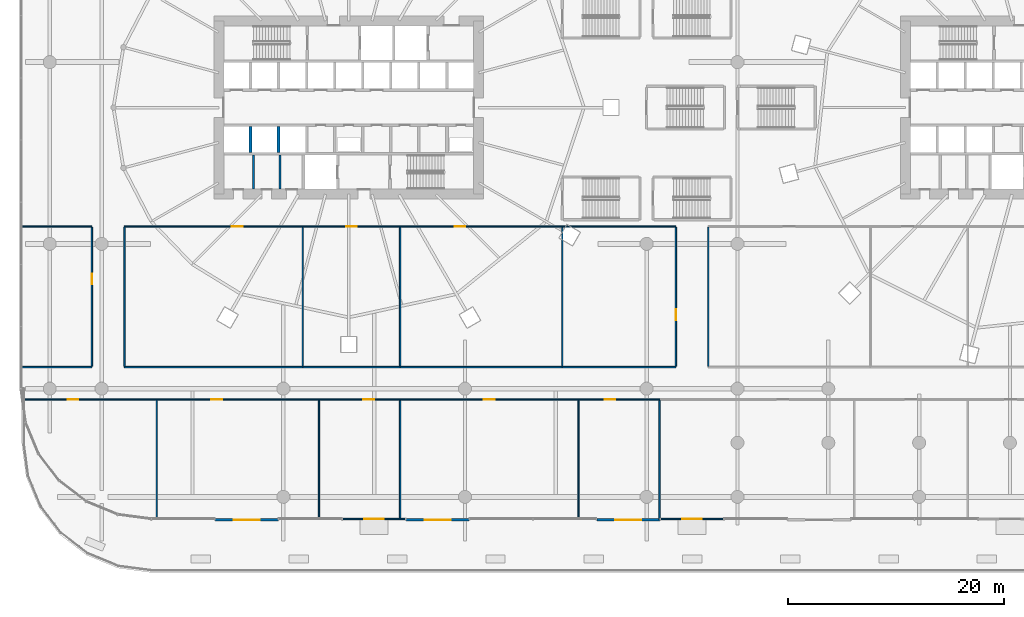
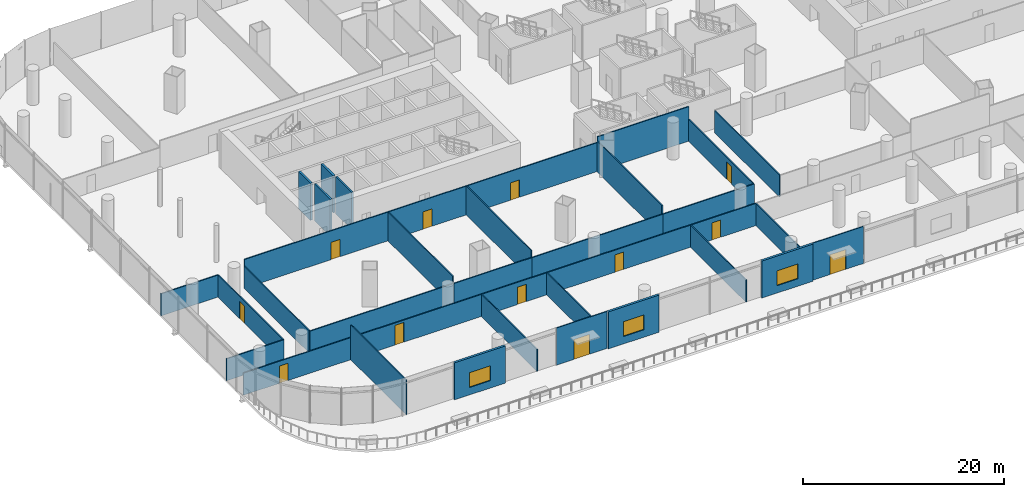
# One storey, part 26 of 43: 36 walls, 12 doors, 3 windows, 15 openings.
"""IFC4 building model written with IfcOpenShell, lengths in metres."""

import ifcopenshell
import ifcopenshell.guid

model = None  # the IFC model being written
_history = None  # IfcOwnerHistory: only IFC2X3 demands one
_inside = {}  # id of a spatial element -> (the spatial element, [elements in it])
_under = {}  # id of a project, library or spatial element -> (it, [spatial elements below it])
_declared = {}  # id of a project -> (the project, [libraries it declares])
_typed = {}  # id of a type object -> (the type object, [elements of that type])
_made_of = {}  # id of a material, layer set ... -> (it, [elements and type objects made of it])


def new_model(schema):
    """Start an empty IFC model of exactly this schema.

    Asked for "IFC4X3", IfcOpenShell would pick the latest addendum, in which some entities
    have other attributes; the version numbers below select the first issue.
    IFC2X3 requires an IfcOwnerHistory on every rooted entity: one is made here for all.
    """
    global model, _history
    if schema == "IFC4X3":
        model = ifcopenshell.file(schema_version=(4, 3, 0, 0))
    else:
        model = ifcopenshell.file(schema=schema)
    _inside.clear()
    _under.clear()
    _declared.clear()
    _typed.clear()
    _made_of.clear()
    _history = None
    if model.schema == "IFC2X3":
        org = make("IfcOrganization", Name="unknown")
        user = make(
            "IfcPersonAndOrganization",
            ThePerson=make("IfcPerson", FamilyName="unknown"),
            TheOrganization=org,
        )
        app = make(
            "IfcApplication",
            ApplicationDeveloper=org,
            Version="unknown",
            ApplicationFullName="unknown",
            ApplicationIdentifier="unknown",
        )
        _history = make(
            "IfcOwnerHistory",
            OwningUser=user,
            OwningApplication=app,
            ChangeAction="ADDED",
            CreationDate=0,
        )
    return model


def make(cls, **values):
    """One entity of the class cls with the attributes given. An attribute that is None is left unset."""
    return model.create_entity(
        cls, **{name: value for name, value in values.items() if value is not None}
    )


def rooted(cls, **values):
    """An entity with a GlobalId (a new one), such as an element, a storey or a relation."""
    return make(cls, GlobalId=ifcopenshell.guid.new(), OwnerHistory=_history, **values)


def si_unit(unit_type, name, prefix=None):
    """IfcSIUnit, for example si_unit("LENGTHUNIT", "METRE", prefix="MILLI")."""
    return make("IfcSIUnit", UnitType=unit_type, Prefix=prefix, Name=name)


def assignment(units):
    """IfcUnitAssignment: the units of a project."""
    return None if units is None else make("IfcUnitAssignment", Units=units)


def point(xyz):
    """IfcCartesianPoint."""
    return None if xyz is None else make("IfcCartesianPoint", Coordinates=xyz)


def direction(xyz):
    """IfcDirection."""
    return None if xyz is None else make("IfcDirection", DirectionRatios=xyz)


def frame(location, z_axis=None, x_axis=None):
    """IfcAxis2Placement3D, a coordinate frame: its origin and axes. An axis left out is left unset."""
    return make(
        "IfcAxis2Placement3D",
        Location=point(location),
        Axis=direction(z_axis),
        RefDirection=direction(x_axis),
    )


def frame_2d(location, x_axis=None):
    """IfcAxis2Placement2D, a coordinate frame in the plane: its origin and x axis."""
    return make(
        "IfcAxis2Placement2D", Location=point(location), RefDirection=direction(x_axis)
    )


def origin():
    """The frame at (0, 0, 0) with its axes left unset."""
    return frame((0.0, 0.0, 0.0))


def place(relative_to, where):
    """IfcLocalPlacement: puts the frame where relative to a parent placement (None: the world)."""
    return make(
        "IfcLocalPlacement", PlacementRelTo=relative_to, RelativePlacement=where
    )


def context(
    kind, dimensions, precision=None, world=None, true_north=None, identifier=None
):
    """IfcGeometricRepresentationContext, for example the 3D "Model" context."""
    return make(
        "IfcGeometricRepresentationContext",
        ContextIdentifier=identifier,
        ContextType=kind,
        CoordinateSpaceDimension=dimensions,
        Precision=precision,
        WorldCoordinateSystem=world,
        TrueNorth=true_north,
    )


def subcontext(parent, identifier, kind, view, scale=None):
    """IfcGeometricRepresentationSubContext, for example "Body" below "Model"."""
    return make(
        "IfcGeometricRepresentationSubContext",
        ContextIdentifier=identifier,
        ContextType=kind,
        ParentContext=parent,
        TargetScale=scale,
        TargetView=view,
    )


def project(units=None, contexts=None):
    """IfcProject with its units and contexts."""
    return rooted(
        "IfcProject",
        Name="project",
        RepresentationContexts=contexts,
        UnitsInContext=assignment(units),
    )


def spatial(cls, under=None, at=None, **own):
    """A site, building, storey or space (cls), placed at a placement, below another one or the project."""
    s = rooted(cls, ObjectPlacement=at, **own)
    if under is not None:
        _under.setdefault(under.id(), (under, []))[1].append(s)
    return s


def profile(cls, at=None, kind="AREA", **sizes):
    """A parametric profile (cls). Its sizes go by their IFC names, for example OverallWidth=200.0."""
    return make(cls, ProfileType=kind, Position=at, **sizes)


def rectangle(**sizes):
    """IfcRectangleProfileDef."""
    return profile("IfcRectangleProfileDef", **sizes)


def extrude(swept, where, along, depth):
    """IfcExtrudedAreaSolid: the profile swept, set in the frame where, extruded along a direction by depth."""
    return make(
        "IfcExtrudedAreaSolid",
        SweptArea=swept,
        Position=where,
        ExtrudedDirection=direction(along),
        Depth=depth,
    )


def shape(context_of_items, identifier, shape_type, items):
    """IfcShapeRepresentation: the items that make up one representation, for example the "Body"."""
    return make(
        "IfcShapeRepresentation",
        ContextOfItems=context_of_items,
        RepresentationIdentifier=identifier,
        RepresentationType=shape_type,
        Items=items,
    )


def material(Name=None, Category=None):
    """IfcMaterial."""
    return make("IfcMaterial", Name=Name, Category=Category)


def layer(
    of_material, thickness, ventilated=None, Name=None, Category=None, Priority=None
):
    """IfcMaterialLayer: one layer of a wall or slab, of a material (None: an air gap)."""
    return make(
        "IfcMaterialLayer",
        Material=of_material,
        LayerThickness=thickness,
        IsVentilated=ventilated,
        Name=Name,
        Category=Category,
        Priority=Priority,
    )


def layer_set(layers, Name=None):
    """IfcMaterialLayerSet."""
    return make("IfcMaterialLayerSet", MaterialLayers=layers, LayerSetName=Name)


def made_of(thing, what):
    """Note that an element or type object is made of a material, layer set ...; save() writes the relation."""
    if what is not None:
        _made_of.setdefault(what.id(), (what, []))[1].append(thing)
    return thing


def type_object(cls, material=None, **own):
    """A type object (cls), such as IfcWallType, which elements share."""
    return made_of(rooted(cls, **own), material)


def element(
    cls,
    number,
    at=None,
    inside=None,
    cuts=None,
    type_object=None,
    material=None,
    context=None,
    identifier="Body",
    shape_type=None,
    held_by="IfcProductDefinitionShape",
    body=None,
    shapes=None,
    **own,
):
    """One element of the class cls, such as IfcWall. Its Tag is "e" and its number.

    at: its placement. inside: the storey or other place that contains it. cuts: it is an
    opening in that element (IfcRelVoidsElement). A single representation is given by context,
    identifier, shape_type and body (its items); several are given by shapes. held_by: the class
    of the entity that holds the representations. save() writes the other relations.
    """
    e = rooted(cls, Tag="e%d" % number, ObjectPlacement=at, **own)
    if body is not None:
        shapes = [shape(context, identifier, shape_type, body)]
    if shapes is not None:
        e.Representation = make(held_by, Representations=shapes)
    if inside is not None:
        _inside.setdefault(inside.id(), (inside, []))[1].append(e)
    if cuts is not None:
        rooted(
            "IfcRelVoidsElement", RelatingBuildingElement=cuts, RelatedOpeningElement=e
        )
    if type_object is not None:
        _typed.setdefault(type_object.id(), (type_object, []))[1].append(e)
    return made_of(e, material)


def fill(opening, filler):
    """IfcRelFillsElement: the door or window that sits in an opening."""
    return rooted(
        "IfcRelFillsElement",
        RelatingOpeningElement=opening,
        RelatedBuildingElement=filler,
    )


def aggregate(whole, parts):
    """IfcRelAggregates: a whole, such as a stair, and the parts it consists of."""
    return rooted("IfcRelAggregates", RelatingObject=whole, RelatedObjects=parts)


def save(model, path):
    """Write the relations noted so far, then the file.

    IfcRelAggregates (storeys below a building ...), IfcRelContainedInSpatialStructure (elements
    in a storey), IfcRelDefinesByType, IfcRelAssociatesMaterial and IfcRelDeclares: one each for
    every whole, place, type object, material and project.
    """
    for whole, parts in _under.values():
        aggregate(whole, parts)
    for where, things in _inside.values():
        rooted(
            "IfcRelContainedInSpatialStructure",
            RelatedElements=things,
            RelatingStructure=where,
        )
    for kind, things in _typed.values():
        rooted("IfcRelDefinesByType", RelatedObjects=things, RelatingType=kind)
    for what, things in _made_of.values():
        rooted("IfcRelAssociatesMaterial", RelatedObjects=things, RelatingMaterial=what)
    for by, libraries in _declared.values():
        rooted("IfcRelDeclares", RelatingContext=by, RelatedDefinitions=libraries)
    model.write(path)


model = new_model("IFC4")

# Units and contexts
model_context = context("Model", 3, precision=1e-05, world=origin(), true_north=direction((0.0, 1.0)))
body_context = subcontext(model_context, "Body", "Model", "MODEL_VIEW")
ifc_project = project(units=[si_unit("LENGTHUNIT", "METRE"), si_unit("AREAUNIT", "SQUARE_METRE"), si_unit("VOLUMEUNIT", "CUBIC_METRE"), si_unit("PLANEANGLEUNIT", "RADIAN"), si_unit("MASSUNIT", "GRAM", prefix="KILO")], contexts=[model_context])

# Site, building, storey
site_placement = place(None, origin())
site = spatial("IfcSite", under=ifc_project, at=site_placement, CompositionType="ELEMENT")
building_placement = place(site_placement, origin())
building = spatial("IfcBuilding", under=site, at=building_placement, Name="Rimbun Link Towers", CompositionType="ELEMENT")
storey_placement = place(building_placement, frame((0.0, 0.0, 12.0)))
storey = spatial("IfcBuildingStorey", under=building, at=storey_placement, Name="L02", CompositionType="ELEMENT", Elevation=12.0)

# Walls
ifc_material_1 = material(Name="Masonry blockwork", Category="masonry")
ifc_layer_1 = layer(ifc_material_1, 0.199951171875)
ifc_layer_set_1 = layer_set([ifc_layer_1], Name="Core partition 200")
wall_type_1 = type_object("IfcWallType", Name="Core partition 200", PredefinedType="PARTITIONING", material=ifc_layer_set_1)
for number, where, z_axis, x_axis, name in (
    (1, (-40.550048828125, -4.39990234375, 0.0), (0.0, 0.0, 1.0), (0.0, -1.0, 0.0), "L02 T1 core wall C1"),
    (2, (-38.10009765625, -4.39990234375, 0.0), (0.0, 0.0, 1.0), (0.0, -1.0, 0.0), "L02 T1 core wall C2"),
):
    element("IfcWall", number, at=place(storey_placement, frame(where, z_axis=z_axis, x_axis=x_axis)), inside=storey, type_object=wall_type_1, Name=name, PredefinedType="PARTITIONING", context=body_context, shape_type="SweptSolid", body=[
        extrude(rectangle(XDim=3.150146484375, YDim=0.199951171875, at=frame_2d((1.5751953125, 0.0))), origin(), (0.0, 0.0, 1.0), 4.5),
    ])

# Wall, opening, door
ifc_material_2 = material(Name="Aluminium framed insulated infill panel", Category="aluminium")
ifc_layer_2 = layer(ifc_material_2, 0.10009765625)
ifc_layer_set_2 = layer_set([ifc_layer_2], Name="ED framed infill wall 100")
wall_type_2 = type_object("IfcWallType", Name="ED framed infill wall 100", PredefinedType="STANDARD", material=ifc_layer_set_2)
wall_1_placement = place(storey_placement, frame((-26.490478515625, -38.050048828125, 0.0), z_axis=(0.0, 0.0, 1.0), x_axis=(-1.0, 0.0, 0.0)))
wall_1 = element("IfcWall", 3, at=wall_1_placement, inside=storey, type_object=wall_type_2, Name="Framed door bay wall", PredefinedType="STANDARD", context=body_context, shape_type="SweptSolid", body=[
    extrude(rectangle(XDim=5.842529296875, YDim=0.10009765625, at=frame_2d((2.92138671875, 0.0))), origin(), (0.0, 0.0, 1.0), 4.5),
])
opening_1_placement = place(wall_1_placement, frame((2.021240234375, 0.0, 0.0)))
opening_1 = element("IfcOpeningElement", 4, at=opening_1_placement, cuts=wall_1, Name="Opening ED32", PredefinedType="OPENING", context=body_context, shape_type="SweptSolid", body=[
    extrude(rectangle(XDim=1.800048828125, YDim=2.39990234375, at=frame_2d((0.89990234375, 1.199951171875))), frame((0.0, 0.06005859375, 0.0), z_axis=(0.0, -1.0, 0.0), x_axis=(1.0, 0.0, 0.0)), (0.0, 0.0, 1.0), 0.1201171875),
])
ifc_material_3 = material(Name="Aluminium framed glazed door, low-iron glass", Category="aluminium")
door_type_1 = type_object("IfcDoorType", Name="ED terrace door double leaf 1800X2400", OperationType="DOUBLE_DOOR_SINGLE_SWING", PredefinedType="DOOR", material=ifc_material_3)
door_1_placement = place(opening_1_placement, origin())
door_1 = element("IfcDoor", 5, at=door_1_placement, inside=storey, type_object=door_type_1, Name="Terrace door", OperationType="SINGLE_SWING_LEFT", OverallHeight=2.39990234375, OverallWidth=1.800048828125, PredefinedType="DOOR", context=body_context, shape_type="SweptSolid", body=[
    extrude(rectangle(XDim=1.800048828125, YDim=2.39990234375, at=frame_2d((0.89990234375, 1.199951171875))), frame((0.0, 0.02490234375, 0.0), z_axis=(0.0, -1.0, 0.0), x_axis=(1.0, 0.0, 0.0)), (0.0, 0.0, 1.0), 0.050048828125),
])
fill(opening_1, door_1)

wall_2_placement = place(storey_placement, frame((2.921142578125, -38.050048828125, 0.0), z_axis=(0.0, 0.0, 1.0), x_axis=(-1.0, 0.0, 0.0)))
wall_2 = element("IfcWall", 6, at=wall_2_placement, inside=storey, type_object=wall_type_2, Name="Framed door bay wall", PredefinedType="STANDARD", context=body_context, shape_type="SweptSolid", body=[
    extrude(rectangle(XDim=5.84228515625, YDim=0.10009765625, at=frame_2d((2.921142578125, 0.0))), origin(), (0.0, 0.0, 1.0), 4.5),
])
opening_2_placement = place(wall_2_placement, frame((2.021240234375, 0.0, 0.0)))
opening_2 = element("IfcOpeningElement", 7, at=opening_2_placement, cuts=wall_2, Name="Opening ED33", PredefinedType="OPENING", context=body_context, shape_type="SweptSolid", body=[
    extrude(rectangle(XDim=1.800048828125, YDim=2.39990234375, at=frame_2d((0.89990234375, 1.199951171875))), frame((0.0, 0.06005859375, 0.0), z_axis=(0.0, -1.0, 0.0), x_axis=(1.0, 0.0, 0.0)), (0.0, 0.0, 1.0), 0.1201171875),
])
door_2_placement = place(opening_2_placement, origin())
door_2 = element("IfcDoor", 8, at=door_2_placement, inside=storey, type_object=door_type_1, Name="Terrace door", OperationType="SINGLE_SWING_LEFT", OverallHeight=2.39990234375, OverallWidth=1.800048828125, PredefinedType="DOOR", context=body_context, shape_type="SweptSolid", body=[
    extrude(rectangle(XDim=1.800048828125, YDim=2.39990234375, at=frame_2d((0.89990234375, 1.199951171875))), frame((0.0, 0.02490234375, 0.0), z_axis=(0.0, -1.0, 0.0), x_axis=(1.0, 0.0, 0.0)), (0.0, 0.0, 1.0), 0.050048828125),
])
fill(opening_2, door_2)

# Wall, opening, window
ifc_material_4 = material(Name="Concrete C32/40, terracotta rainscreen cladding", Category="masonry")
ifc_layer_3 = layer(ifc_material_4, 0.25)
ifc_layer_set_3 = layer_set([ifc_layer_3], Name="PD solid bay wall 250")
wall_type_3 = type_object("IfcWallType", Name="PD solid bay wall 250", PredefinedType="STANDARD", material=ifc_layer_set_3)
wall_3_placement = place(storey_placement, frame((-38.25537109375, -38.125, 0.0), z_axis=(0.0, 0.0, 1.0), x_axis=(-1.0, 0.0, 0.0)))
wall_3 = element("IfcWall", 9, at=wall_3_placement, inside=storey, type_object=wall_type_3, Name="Solid bay wall", PredefinedType="STANDARD", context=body_context, shape_type="SweptSolid", body=[
    extrude(rectangle(XDim=5.84228515625, YDim=0.25, at=frame_2d((2.921142578125, 0.0))), origin(), (0.0, 0.0, 1.0), 4.5),
])
opening_3_placement = place(wall_3_placement, frame((1.72119140625, 0.0, 0.89990234375)))
opening_3 = element("IfcOpeningElement", 10, at=opening_3_placement, cuts=wall_3, Name="Opening WN05", PredefinedType="OPENING", context=body_context, shape_type="SweptSolid", body=[
    extrude(rectangle(XDim=2.39990234375, YDim=1.800048828125, at=frame_2d((1.199951171875, 0.89990234375))), frame((0.0, 0.135009765625, 0.0), z_axis=(0.0, -1.0, 0.0), x_axis=(1.0, 0.0, 0.0)), (0.0, 0.0, 1.0), 0.27001953125),
])
ifc_material_5 = material(Name="Aluminium framed window, low-iron glass", Category="aluminium")
window_type = type_object("IfcWindowType", Name="W1 podium window 2400X1800", PartitioningType="SINGLE_PANEL", PredefinedType="WINDOW", material=ifc_material_5)
window_1_placement = place(opening_3_placement, origin())
window_1 = element("IfcWindow", 11, at=window_1_placement, inside=storey, type_object=window_type, Name="Podium window", OverallHeight=1.800048828125, OverallWidth=2.39990234375, PartitioningType="SINGLE_PANEL", PredefinedType="WINDOW", context=body_context, shape_type="SweptSolid", body=[
    extrude(rectangle(XDim=2.39990234375, YDim=1.800048828125, at=frame_2d((1.199951171875, 0.89990234375))), frame((0.0, 0.030029296875, 0.0), z_axis=(0.0, -1.0, 0.0), x_axis=(1.0, 0.0, 0.0)), (0.0, 0.0, 1.0), 0.06005859375),
])
fill(opening_3, window_1)

wall_4_placement = place(storey_placement, frame((-20.608154296875, -38.125, 0.0), z_axis=(0.0, 0.0, 1.0), x_axis=(-1.0, 0.0, 0.0)))
wall_4 = element("IfcWall", 12, at=wall_4_placement, inside=storey, type_object=wall_type_3, Name="Solid bay wall", PredefinedType="STANDARD", context=body_context, shape_type="SweptSolid", body=[
    extrude(rectangle(XDim=5.842529296875, YDim=0.25, at=frame_2d((2.92138671875, 0.0))), origin(), (0.0, 0.0, 1.0), 4.5),
])
opening_4_placement = place(wall_4_placement, frame((1.72119140625, 0.0, 0.89990234375)))
opening_4 = element("IfcOpeningElement", 13, at=opening_4_placement, cuts=wall_4, Name="Opening WN06", PredefinedType="OPENING", context=body_context, shape_type="SweptSolid", body=[
    extrude(rectangle(XDim=2.39990234375, YDim=1.800048828125, at=frame_2d((1.199951171875, 0.89990234375))), frame((0.0, 0.135009765625, 0.0), z_axis=(0.0, -1.0, 0.0), x_axis=(1.0, 0.0, 0.0)), (0.0, 0.0, 1.0), 0.27001953125),
])
window_2_placement = place(opening_4_placement, origin())
window_2 = element("IfcWindow", 14, at=window_2_placement, inside=storey, type_object=window_type, Name="Podium window", OverallHeight=1.800048828125, OverallWidth=2.39990234375, PartitioningType="SINGLE_PANEL", PredefinedType="WINDOW", context=body_context, shape_type="SweptSolid", body=[
    extrude(rectangle(XDim=2.39990234375, YDim=1.800048828125, at=frame_2d((1.199951171875, 0.89990234375))), frame((0.0, 0.030029296875, 0.0), z_axis=(0.0, -1.0, 0.0), x_axis=(1.0, 0.0, 0.0)), (0.0, 0.0, 1.0), 0.06005859375),
])
fill(opening_4, window_2)

wall_5_placement = place(storey_placement, frame((-2.961181640625, -38.125, 0.0), z_axis=(0.0, 0.0, 1.0), x_axis=(-1.0, 0.0, 0.0)))
wall_5 = element("IfcWall", 15, at=wall_5_placement, inside=storey, type_object=wall_type_3, Name="Solid bay wall", PredefinedType="STANDARD", context=body_context, shape_type="SweptSolid", body=[
    extrude(rectangle(XDim=5.84228515625, YDim=0.25, at=frame_2d((2.921142578125, 0.0))), origin(), (0.0, 0.0, 1.0), 4.5),
])
opening_5_placement = place(wall_5_placement, frame((1.72119140625, 0.0, 0.89990234375)))
opening_5 = element("IfcOpeningElement", 16, at=opening_5_placement, cuts=wall_5, Name="Opening WN07", PredefinedType="OPENING", context=body_context, shape_type="SweptSolid", body=[
    extrude(rectangle(XDim=2.39990234375, YDim=1.800048828125, at=frame_2d((1.199951171875, 0.89990234375))), frame((0.0, 0.135009765625, 0.0), z_axis=(0.0, -1.0, 0.0), x_axis=(1.0, 0.0, 0.0)), (0.0, 0.0, 1.0), 0.27001953125),
])
window_3_placement = place(opening_5_placement, origin())
window_3 = element("IfcWindow", 17, at=window_3_placement, inside=storey, type_object=window_type, Name="Podium window", OverallHeight=1.800048828125, OverallWidth=2.39990234375, PartitioningType="SINGLE_PANEL", PredefinedType="WINDOW", context=body_context, shape_type="SweptSolid", body=[
    extrude(rectangle(XDim=2.39990234375, YDim=1.800048828125, at=frame_2d((1.199951171875, 0.89990234375))), frame((0.0, 0.030029296875, 0.0), z_axis=(0.0, -1.0, 0.0), x_axis=(1.0, 0.0, 0.0)), (0.0, 0.0, 1.0), 0.06005859375),
])
fill(opening_5, window_3)

# Wall
ifc_material_6 = material(Name="Gypsum board on steel studs", Category="steel")
ifc_layer_4 = layer(ifc_material_6, 0.125)
ifc_layer_set_4 = layer_set([ifc_layer_4], Name="Partition 125 board on studs")
wall_type_4 = type_object("IfcWallType", Name="Partition 125 board on studs", PredefinedType="PARTITIONING", material=ifc_layer_set_4)
wall_6_placement = place(storey_placement, frame((-62.080078125, -11.0, 0.0), z_axis=(0.0, 0.0, 1.0), x_axis=(1.0, 0.0, 0.0)))
element("IfcWall", 18, at=wall_6_placement, inside=storey, type_object=wall_type_4, Name="PD/PW/L02/025", PredefinedType="PARTITIONING", context=body_context, shape_type="SweptSolid", body=[
    extrude(rectangle(XDim=6.580078125, YDim=0.125, at=frame_2d((3.2900390625, 0.0))), origin(), (0.0, 0.0, 1.0), 2.679931640625),
])

# Wall, opening, door
wall_7_placement = place(storey_placement, frame((-52.5, -11.0, 0.0), z_axis=(0.0, 0.0, 1.0), x_axis=(1.0, 0.0, 0.0)))
wall_7 = element("IfcWall", 19, at=wall_7_placement, inside=storey, type_object=wall_type_4, Name="PD/PW/L02/026", PredefinedType="PARTITIONING", context=body_context, shape_type="SweptSolid", body=[
    extrude(rectangle(XDim=16.5, YDim=0.125, at=frame_2d((8.25, 0.0))), origin(), (0.0, 0.0, 1.0), 3.49609375),
])
opening_6_placement = place(wall_7_placement, frame((9.93994140625, 0.0, 0.0)))
opening_6 = element("IfcOpeningElement", 20, at=opening_6_placement, cuts=wall_7, Name="Opening PD D02.12", PredefinedType="OPENING", context=body_context, shape_type="SweptSolid", body=[
    extrude(rectangle(XDim=1.0, YDim=2.10009765625, at=frame_2d((0.5, 1.050048828125))), frame((0.0, 0.072509765625, 0.0), z_axis=(0.0, -1.0, 0.0), x_axis=(1.0, 0.0, 0.0)), (0.0, 0.0, 1.0), 0.14501953125),
])
ifc_material_7 = material(Name="Timber door set", Category="wood")
door_type_2 = type_object("IfcDoorType", Name="Door single leaf 1000 x 2100", OperationType="NOTDEFINED", PredefinedType="DOOR", material=ifc_material_7)
door_3_placement = place(opening_6_placement, origin())
door_3 = element("IfcDoor", 21, at=door_3_placement, inside=storey, type_object=door_type_2, Name="PD/DR/L02/012", OperationType="SINGLE_SWING_LEFT", OverallHeight=2.10009765625, OverallWidth=1.0, PredefinedType="DOOR", context=body_context, shape_type="SweptSolid", body=[
    extrude(rectangle(XDim=1.0, YDim=2.10009765625, at=frame_2d((0.5, 1.050048828125))), frame((0.0, 0.02490234375, 0.0), z_axis=(0.0, -1.0, 0.0), x_axis=(1.0, 0.0, 0.0)), (0.0, 0.0, 1.0), 0.050048828125),
])
fill(opening_6, door_3)

wall_8_placement = place(storey_placement, frame((-36.0, -11.0, 0.0), z_axis=(0.0, 0.0, 1.0), x_axis=(1.0, 0.0, 0.0)))
wall_8 = element("IfcWall", 22, at=wall_8_placement, inside=storey, type_object=wall_type_4, Name="PD/PW/L02/027", PredefinedType="PARTITIONING", context=body_context, shape_type="SweptSolid", body=[
    extrude(rectangle(XDim=9.0, YDim=0.125, at=frame_2d((4.5, 0.0))), origin(), (0.0, 0.0, 1.0), 3.49609375),
])
opening_7_placement = place(wall_8_placement, frame((4.0, 0.0, 0.0)))
opening_7 = element("IfcOpeningElement", 23, at=opening_7_placement, cuts=wall_8, Name="Opening PD D02.13", PredefinedType="OPENING", context=body_context, shape_type="SweptSolid", body=[
    extrude(rectangle(XDim=1.0, YDim=2.10009765625, at=frame_2d((0.5, 1.050048828125))), frame((0.0, 0.072509765625, 0.0), z_axis=(0.0, -1.0, 0.0), x_axis=(1.0, 0.0, 0.0)), (0.0, 0.0, 1.0), 0.14501953125),
])
door_4_placement = place(opening_7_placement, origin())
door_4 = element("IfcDoor", 24, at=door_4_placement, inside=storey, type_object=door_type_2, Name="PD/DR/L02/013", OperationType="SINGLE_SWING_RIGHT", OverallHeight=2.10009765625, OverallWidth=1.0, PredefinedType="DOOR", context=body_context, shape_type="SweptSolid", body=[
    extrude(rectangle(XDim=1.0, YDim=2.10009765625, at=frame_2d((0.5, 1.050048828125))), frame((0.0, 0.02490234375, 0.0), z_axis=(0.0, -1.0, 0.0), x_axis=(1.0, 0.0, 0.0)), (0.0, 0.0, 1.0), 0.050048828125),
])
fill(opening_7, door_4)

wall_9_placement = place(storey_placement, frame((-27.0, -11.0, 0.0), z_axis=(0.0, 0.0, 1.0), x_axis=(1.0, 0.0, 0.0)))
wall_9 = element("IfcWall", 25, at=wall_9_placement, inside=storey, type_object=wall_type_4, Name="PD/PW/L02/028", PredefinedType="PARTITIONING", context=body_context, shape_type="SweptSolid", body=[
    extrude(rectangle(XDim=15.0, YDim=0.125, at=frame_2d((7.5, 0.0))), origin(), (0.0, 0.0, 1.0), 3.49609375),
])
opening_8_placement = place(wall_9_placement, frame((5.034912109375, 0.0, 0.0)))
opening_8 = element("IfcOpeningElement", 26, at=opening_8_placement, cuts=wall_9, Name="Opening PD D02.14", PredefinedType="OPENING", context=body_context, shape_type="SweptSolid", body=[
    extrude(rectangle(XDim=1.0, YDim=2.10009765625, at=frame_2d((0.5, 1.050048828125))), frame((0.0, 0.072509765625, 0.0), z_axis=(0.0, -1.0, 0.0), x_axis=(1.0, 0.0, 0.0)), (0.0, 0.0, 1.0), 0.14501953125),
])
door_5_placement = place(opening_8_placement, origin())
door_5 = element("IfcDoor", 27, at=door_5_placement, inside=storey, type_object=door_type_2, Name="PD/DR/L02/014", OperationType="SINGLE_SWING_LEFT", OverallHeight=2.10009765625, OverallWidth=1.0, PredefinedType="DOOR", context=body_context, shape_type="SweptSolid", body=[
    extrude(rectangle(XDim=1.0, YDim=2.10009765625, at=frame_2d((0.5, 1.050048828125))), frame((0.0, 0.02490234375, 0.0), z_axis=(0.0, -1.0, 0.0), x_axis=(1.0, 0.0, 0.0)), (0.0, 0.0, 1.0), 0.050048828125),
])
fill(opening_8, door_5)

# Wall
wall_10_placement = place(storey_placement, frame((-12.0, -11.0, 0.0), z_axis=(0.0, 0.0, 1.0), x_axis=(1.0, 0.0, 0.0)))
element("IfcWall", 28, at=wall_10_placement, inside=storey, type_object=wall_type_4, Name="PD/PW/L02/029", PredefinedType="PARTITIONING", context=body_context, shape_type="SweptSolid", body=[
    extrude(rectangle(XDim=10.5, YDim=0.125, at=frame_2d((5.25, 0.0))), origin(), (0.0, 0.0, 1.0), 4.199951171875),
])

# Wall, opening, door
wall_11_placement = place(storey_placement, frame((-61.868408203125, -27.0, 0.0), z_axis=(0.0, 0.0, 1.0), x_axis=(1.0, 0.0, 0.0)))
wall_11 = element("IfcWall", 29, at=wall_11_placement, inside=storey, type_object=wall_type_4, Name="PD/PW/L02/046", PredefinedType="PARTITIONING", context=body_context, shape_type="SweptSolid", body=[
    extrude(rectangle(XDim=12.368408203125, YDim=0.125, at=frame_2d((6.18408203125, 0.0))), origin(), (0.0, 0.0, 1.0), 2.679931640625),
])
opening_9_placement = place(wall_11_placement, frame((4.114013671875, 0.0, 0.0)))
opening_9 = element("IfcOpeningElement", 30, at=opening_9_placement, cuts=wall_11, Name="Opening PD D02.01", PredefinedType="OPENING", context=body_context, shape_type="SweptSolid", body=[
    extrude(rectangle(XDim=1.0, YDim=2.10009765625, at=frame_2d((0.5, 1.050048828125))), frame((0.0, 0.072509765625, 0.0), z_axis=(0.0, -1.0, 0.0), x_axis=(1.0, 0.0, 0.0)), (0.0, 0.0, 1.0), 0.14501953125),
])
door_6_placement = place(opening_9_placement, origin())
door_6 = element("IfcDoor", 31, at=door_6_placement, inside=storey, type_object=door_type_2, Name="PD/DR/L02/001", OperationType="SINGLE_SWING_RIGHT", OverallHeight=2.10009765625, OverallWidth=1.0, PredefinedType="DOOR", context=body_context, shape_type="SweptSolid", body=[
    extrude(rectangle(XDim=1.0, YDim=2.10009765625, at=frame_2d((0.5, 1.050048828125))), frame((0.0, 0.02490234375, 0.0), z_axis=(0.0, -1.0, 0.0), x_axis=(1.0, 0.0, 0.0)), (0.0, 0.0, 1.0), 0.050048828125),
])
fill(opening_9, door_6)

wall_12_placement = place(storey_placement, frame((-49.5, -27.0, 0.0), z_axis=(0.0, 0.0, 1.0), x_axis=(1.0, 0.0, 0.0)))
wall_12 = element("IfcWall", 32, at=wall_12_placement, inside=storey, type_object=wall_type_4, Name="PD/PW/L02/047", PredefinedType="PARTITIONING", context=body_context, shape_type="SweptSolid", body=[
    extrude(rectangle(XDim=15.0, YDim=0.125, at=frame_2d((7.5, 0.0))), origin(), (0.0, 0.0, 1.0), 2.679931640625),
])
opening_10_placement = place(wall_12_placement, frame((5.034912109375, 0.0, 0.0)))
opening_10 = element("IfcOpeningElement", 33, at=opening_10_placement, cuts=wall_12, Name="Opening PD D02.02", PredefinedType="OPENING", context=body_context, shape_type="SweptSolid", body=[
    extrude(rectangle(XDim=1.0, YDim=2.39990234375, at=frame_2d((0.5, 1.199951171875))), frame((0.0, 0.072509765625, 0.0), z_axis=(0.0, -1.0, 0.0), x_axis=(1.0, 0.0, 0.0)), (0.0, 0.0, 1.0), 0.14501953125),
])
ifc_material_8 = material(Name="Timber door set", Category="wood")
door_type_3 = type_object("IfcDoorType", Name="Hall door single leaf 1000 x 2400", OperationType="NOTDEFINED", PredefinedType="DOOR", material=ifc_material_8)
door_7_placement = place(opening_10_placement, origin())
door_7 = element("IfcDoor", 34, at=door_7_placement, inside=storey, type_object=door_type_3, Name="PD/DR/L02/002", OperationType="SINGLE_SWING_LEFT", OverallHeight=2.39990234375, OverallWidth=1.0, PredefinedType="DOOR", context=body_context, shape_type="SweptSolid", body=[
    extrude(rectangle(XDim=1.0, YDim=2.39990234375, at=frame_2d((0.5, 1.199951171875))), frame((0.0, 0.02490234375, 0.0), z_axis=(0.0, -1.0, 0.0), x_axis=(1.0, 0.0, 0.0)), (0.0, 0.0, 1.0), 0.050048828125),
])
fill(opening_10, door_7)

wall_13_placement = place(storey_placement, frame((-34.5, -27.0, 0.0), z_axis=(0.0, 0.0, 1.0), x_axis=(1.0, 0.0, 0.0)))
wall_13 = element("IfcWall", 35, at=wall_13_placement, inside=storey, type_object=wall_type_4, Name="PD/PW/L02/048", PredefinedType="PARTITIONING", context=body_context, shape_type="SweptSolid", body=[
    extrude(rectangle(XDim=7.5, YDim=0.125, at=frame_2d((3.75, 0.0))), origin(), (0.0, 0.0, 1.0), 2.679931640625),
])
opening_11_placement = place(wall_13_placement, frame((4.090087890625, 0.0, 0.0)))
opening_11 = element("IfcOpeningElement", 36, at=opening_11_placement, cuts=wall_13, Name="Opening PD D02.03", PredefinedType="OPENING", context=body_context, shape_type="SweptSolid", body=[
    extrude(rectangle(XDim=1.0, YDim=2.10009765625, at=frame_2d((0.5, 1.050048828125))), frame((0.0, 0.072509765625, 0.0), z_axis=(0.0, -1.0, 0.0), x_axis=(1.0, 0.0, 0.0)), (0.0, 0.0, 1.0), 0.14501953125),
])
door_8_placement = place(opening_11_placement, origin())
door_8 = element("IfcDoor", 37, at=door_8_placement, inside=storey, type_object=door_type_2, Name="PD/DR/L02/003", OperationType="SINGLE_SWING_RIGHT", OverallHeight=2.10009765625, OverallWidth=1.0, PredefinedType="DOOR", context=body_context, shape_type="SweptSolid", body=[
    extrude(rectangle(XDim=1.0, YDim=2.10009765625, at=frame_2d((0.5, 1.050048828125))), frame((0.0, 0.02490234375, 0.0), z_axis=(0.0, -1.0, 0.0), x_axis=(1.0, 0.0, 0.0)), (0.0, 0.0, 1.0), 0.050048828125),
])
fill(opening_11, door_8)

wall_14_placement = place(storey_placement, frame((-27.0, -27.0, 0.0), z_axis=(0.0, 0.0, 1.0), x_axis=(1.0, 0.0, 0.0)))
wall_14 = element("IfcWall", 38, at=wall_14_placement, inside=storey, type_object=wall_type_4, Name="PD/PW/L02/049", PredefinedType="PARTITIONING", context=body_context, shape_type="SweptSolid", body=[
    extrude(rectangle(XDim=16.5, YDim=0.125, at=frame_2d((8.25, 0.0))), origin(), (0.0, 0.0, 1.0), 2.679931640625),
])
opening_12_placement = place(wall_14_placement, frame((7.75, 0.0, 0.0)))
opening_12 = element("IfcOpeningElement", 39, at=opening_12_placement, cuts=wall_14, Name="Opening PD D02.04", PredefinedType="OPENING", context=body_context, shape_type="SweptSolid", body=[
    extrude(rectangle(XDim=1.0, YDim=2.10009765625, at=frame_2d((0.5, 1.050048828125))), frame((0.0, 0.072509765625, 0.0), z_axis=(0.0, -1.0, 0.0), x_axis=(1.0, 0.0, 0.0)), (0.0, 0.0, 1.0), 0.14501953125),
])
door_9_placement = place(opening_12_placement, origin())
door_9 = element("IfcDoor", 40, at=door_9_placement, inside=storey, type_object=door_type_2, Name="PD/DR/L02/004", OperationType="SINGLE_SWING_LEFT", OverallHeight=2.10009765625, OverallWidth=1.0, PredefinedType="DOOR", context=body_context, shape_type="SweptSolid", body=[
    extrude(rectangle(XDim=1.0, YDim=2.10009765625, at=frame_2d((0.5, 1.050048828125))), frame((0.0, 0.02490234375, 0.0), z_axis=(0.0, -1.0, 0.0), x_axis=(1.0, 0.0, 0.0)), (0.0, 0.0, 1.0), 0.050048828125),
])
fill(opening_12, door_9)

wall_15_placement = place(storey_placement, frame((-10.5, -27.0, 0.0), z_axis=(0.0, 0.0, 1.0), x_axis=(1.0, 0.0, 0.0)))
wall_15 = element("IfcWall", 41, at=wall_15_placement, inside=storey, type_object=wall_type_4, Name="PD/PW/L02/050", PredefinedType="PARTITIONING", context=body_context, shape_type="SweptSolid", body=[
    extrude(rectangle(XDim=7.5, YDim=0.125, at=frame_2d((3.75, 0.0))), origin(), (0.0, 0.0, 1.0), 2.679931640625),
])
opening_13_placement = place(wall_15_placement, frame((2.409912109375, 0.0, 0.0)))
opening_13 = element("IfcOpeningElement", 42, at=opening_13_placement, cuts=wall_15, Name="Opening PD D02.05", PredefinedType="OPENING", context=body_context, shape_type="SweptSolid", body=[
    extrude(rectangle(XDim=1.0, YDim=2.10009765625, at=frame_2d((0.5, 1.050048828125))), frame((0.0, 0.072509765625, 0.0), z_axis=(0.0, -1.0, 0.0), x_axis=(1.0, 0.0, 0.0)), (0.0, 0.0, 1.0), 0.14501953125),
])
door_10_placement = place(opening_13_placement, origin())
door_10 = element("IfcDoor", 43, at=door_10_placement, inside=storey, type_object=door_type_2, Name="PD/DR/L02/005", OperationType="SINGLE_SWING_RIGHT", OverallHeight=2.10009765625, OverallWidth=1.0, PredefinedType="DOOR", context=body_context, shape_type="SweptSolid", body=[
    extrude(rectangle(XDim=1.0, YDim=2.10009765625, at=frame_2d((0.5, 1.050048828125))), frame((0.0, 0.02490234375, 0.0), z_axis=(0.0, -1.0, 0.0), x_axis=(1.0, 0.0, 0.0)), (0.0, 0.0, 1.0), 0.050048828125),
])
fill(opening_13, door_10)

# Walls
wall_16_placement = place(storey_placement, frame((-55.5, -24.0, 0.0), z_axis=(0.0, 0.0, 1.0), x_axis=(-1.0, 0.0, 0.0)))
element("IfcWall", 44, at=wall_16_placement, inside=storey, type_object=wall_type_4, Name="PD/PW/L02/056", PredefinedType="PARTITIONING", context=body_context, shape_type="SweptSolid", body=[
    extrude(rectangle(XDim=6.580078125, YDim=0.125, at=frame_2d((3.2900390625, 0.0))), origin(), (0.0, 0.0, 1.0), 2.679931640625),
])
wall_17_placement = place(storey_placement, frame((-36.0, -24.0, 0.0), z_axis=(0.0, 0.0, 1.0), x_axis=(-1.0, 0.0, 0.0)))
element("IfcWall", 45, at=wall_17_placement, inside=storey, type_object=wall_type_4, Name="PD/PW/L02/057", PredefinedType="PARTITIONING", context=body_context, shape_type="SweptSolid", body=[
    extrude(rectangle(XDim=16.5, YDim=0.125, at=frame_2d((8.25, 0.0))), origin(), (0.0, 0.0, 1.0), 2.679931640625),
])
wall_18_placement = place(storey_placement, frame((-27.0, -24.0, 0.0), z_axis=(0.0, 0.0, 1.0), x_axis=(-1.0, 0.0, 0.0)))
element("IfcWall", 46, at=wall_18_placement, inside=storey, type_object=wall_type_4, Name="PD/PW/L02/058", PredefinedType="PARTITIONING", context=body_context, shape_type="SweptSolid", body=[
    extrude(rectangle(XDim=9.0, YDim=0.125, at=frame_2d((4.5, 0.0))), origin(), (0.0, 0.0, 1.0), 2.679931640625),
])
wall_19_placement = place(storey_placement, frame((-12.0, -24.0, 0.0), z_axis=(0.0, 0.0, 1.0), x_axis=(-1.0, 0.0, 0.0)))
element("IfcWall", 47, at=wall_19_placement, inside=storey, type_object=wall_type_4, Name="PD/PW/L02/059", PredefinedType="PARTITIONING", context=body_context, shape_type="SweptSolid", body=[
    extrude(rectangle(XDim=15.0, YDim=0.125, at=frame_2d((7.5, 0.0))), origin(), (0.0, 0.0, 1.0), 2.679931640625),
])
wall_20_placement = place(storey_placement, frame((-1.5, -24.0, 0.0), z_axis=(0.0, 0.0, 1.0), x_axis=(-1.0, 0.0, 0.0)))
element("IfcWall", 48, at=wall_20_placement, inside=storey, type_object=wall_type_4, Name="PD/PW/L02/060", PredefinedType="PARTITIONING", context=body_context, shape_type="SweptSolid", body=[
    extrude(rectangle(XDim=10.5, YDim=0.125, at=frame_2d((5.25, 0.0))), origin(), (0.0, 0.0, 1.0), 2.679931640625),
])

# Wall, opening, door
wall_21_placement = place(storey_placement, frame((-55.5, -11.0625, 0.0), z_axis=(0.0, 0.0, 1.0), x_axis=(0.0, -1.0, 0.0)))
wall_21 = element("IfcWall", 49, at=wall_21_placement, inside=storey, type_object=wall_type_4, Name="PD/PW/L02/066", PredefinedType="PARTITIONING", context=body_context, shape_type="SweptSolid", body=[
    extrude(rectangle(XDim=12.875, YDim=0.125, at=frame_2d((6.4375, 0.0))), origin(), (0.0, 0.0, 1.0), 2.679931640625),
])
opening_14_placement = place(wall_21_placement, frame((4.291015625, 0.0, 0.0)))
opening_14 = element("IfcOpeningElement", 50, at=opening_14_placement, cuts=wall_21, Name="Opening PD D02.11", PredefinedType="OPENING", context=body_context, shape_type="SweptSolid", body=[
    extrude(rectangle(XDim=1.0, YDim=2.10009765625, at=frame_2d((0.5, 1.050048828125))), frame((0.0, 0.072509765625, 0.0), z_axis=(0.0, -1.0, 0.0), x_axis=(1.0, 0.0, 0.0)), (0.0, 0.0, 1.0), 0.14501953125),
])
door_11_placement = place(opening_14_placement, origin())
door_11 = element("IfcDoor", 51, at=door_11_placement, inside=storey, type_object=door_type_2, Name="PD/DR/L02/011", OperationType="SINGLE_SWING_RIGHT", OverallHeight=2.10009765625, OverallWidth=1.0, PredefinedType="DOOR", context=body_context, shape_type="SweptSolid", body=[
    extrude(rectangle(XDim=1.0, YDim=2.10009765625, at=frame_2d((0.5, 1.050048828125))), frame((0.0, 0.02490234375, 0.0), z_axis=(0.0, -1.0, 0.0), x_axis=(1.0, 0.0, 0.0)), (0.0, 0.0, 1.0), 0.050048828125),
])
fill(opening_14, door_11)

# Wall
wall_22_placement = place(storey_placement, frame((-52.5, -23.9375, 0.0), z_axis=(0.0, 0.0, 1.0), x_axis=(0.0, 1.0, 0.0)))
element("IfcWall", 52, at=wall_22_placement, inside=storey, type_object=wall_type_4, Name="PD/PW/L02/067", PredefinedType="PARTITIONING", context=body_context, shape_type="SweptSolid", body=[
    extrude(rectangle(XDim=12.875, YDim=0.125, at=frame_2d((6.4375, 0.0))), origin(), (0.0, 0.0, 1.0), 2.679931640625),
])

# Wall, opening, door
wall_23_placement = place(storey_placement, frame((-1.5, -11.0625, 0.0), z_axis=(0.0, 0.0, 1.0), x_axis=(0.0, -1.0, 0.0)))
wall_23 = element("IfcWall", 53, at=wall_23_placement, inside=storey, type_object=wall_type_4, Name="PD/PW/L02/068", PredefinedType="PARTITIONING", context=body_context, shape_type="SweptSolid", body=[
    extrude(rectangle(XDim=12.875, YDim=0.125, at=frame_2d((6.4375, 0.0))), origin(), (0.0, 0.0, 1.0), 2.679931640625),
])
opening_15_placement = place(wall_23_placement, frame((7.583984375, 0.0, 0.0)))
opening_15 = element("IfcOpeningElement", 54, at=opening_15_placement, cuts=wall_23, Name="Opening PD D02.15", PredefinedType="OPENING", context=body_context, shape_type="SweptSolid", body=[
    extrude(rectangle(XDim=1.0, YDim=2.10009765625, at=frame_2d((0.5, 1.050048828125))), frame((0.0, 0.072509765625, 0.0), z_axis=(0.0, -1.0, 0.0), x_axis=(1.0, 0.0, 0.0)), (0.0, 0.0, 1.0), 0.14501953125),
])
door_12_placement = place(opening_15_placement, origin())
door_12 = element("IfcDoor", 55, at=door_12_placement, inside=storey, type_object=door_type_2, Name="PD/DR/L02/015", OperationType="SINGLE_SWING_RIGHT", OverallHeight=2.10009765625, OverallWidth=1.0, PredefinedType="DOOR", context=body_context, shape_type="SweptSolid", body=[
    extrude(rectangle(XDim=1.0, YDim=2.10009765625, at=frame_2d((0.5, 1.050048828125))), frame((0.0, 0.02490234375, 0.0), z_axis=(0.0, -1.0, 0.0), x_axis=(1.0, 0.0, 0.0)), (0.0, 0.0, 1.0), 0.050048828125),
])
fill(opening_15, door_12)

# Walls
wall_24_placement = place(storey_placement, frame((1.5, -23.9375, 0.0), z_axis=(0.0, 0.0, 1.0), x_axis=(0.0, 1.0, 0.0)))
element("IfcWall", 56, at=wall_24_placement, inside=storey, type_object=wall_type_4, Name="PD/PW/L02/069", PredefinedType="PARTITIONING", context=body_context, shape_type="SweptSolid", body=[
    extrude(rectangle(XDim=12.875, YDim=0.125, at=frame_2d((6.4375, 0.0))), origin(), (0.0, 0.0, 1.0), 2.679931640625),
])
wall_25_placement = place(storey_placement, frame((-49.5, -38.080078125, 0.0), z_axis=(0.0, 0.0, 1.0), x_axis=(0.0, 1.0, 0.0)))
element("IfcWall", 57, at=wall_25_placement, inside=storey, type_object=wall_type_4, Name="PD/PW/L02/072", PredefinedType="PARTITIONING", context=body_context, shape_type="SweptSolid", body=[
    extrude(rectangle(XDim=11.017578125, YDim=0.125, at=frame_2d((5.5087890625, 0.0))), origin(), (0.0, 0.0, 1.0), 4.199951171875),
])
for number, where, z_axis, x_axis, name in (
    (58, (-34.5, -38.080078125, 0.0), (0.0, 0.0, 1.0), (0.0, 1.0, 0.0), "PD/PW/L02/073"),
    (59, (-27.0, -38.080078125, 0.0), (0.0, 0.0, 1.0), (0.0, 1.0, 0.0), "PD/PW/L02/074"),
    (60, (-10.5, -38.080078125, 0.0), (0.0, 0.0, 1.0), (0.0, 1.0, 0.0), "PD/PW/L02/075"),
    (61, (-3.0, -38.080078125, 0.0), (0.0, 0.0, 1.0), (0.0, 1.0, 0.0), "PD/PW/L02/076"),
):
    element("IfcWall", number, at=place(storey_placement, frame(where, z_axis=z_axis, x_axis=x_axis)), inside=storey, type_object=wall_type_4, Name=name, PredefinedType="PARTITIONING", context=body_context, shape_type="SweptSolid", body=[
        extrude(rectangle(XDim=11.017578125, YDim=0.125, at=frame_2d((5.5087890625, 0.0))), origin(), (0.0, 0.0, 1.0), 2.679931640625),
    ])
for number, where, z_axis, x_axis, name in (
    (62, (-36.0, -23.9375, 0.0), (0.0, 0.0, 1.0), (0.0, 1.0, 0.0), "PD/PW/L02/081"),
    (63, (-27.0, -23.9375, 0.0), (0.0, 0.0, 1.0), (0.0, 1.0, 0.0), "PD/PW/L02/082"),
):
    element("IfcWall", number, at=place(storey_placement, frame(where, z_axis=z_axis, x_axis=x_axis)), inside=storey, type_object=wall_type_4, Name=name, PredefinedType="PARTITIONING", context=body_context, shape_type="SweptSolid", body=[
        extrude(rectangle(XDim=12.875, YDim=0.125, at=frame_2d((6.4375, 0.0))), origin(), (0.0, 0.0, 1.0), 3.49609375),
    ])
wall_26_placement = place(storey_placement, frame((-12.0, -23.9375, 0.0), z_axis=(0.0, 0.0, 1.0), x_axis=(0.0, 1.0, 0.0)))
element("IfcWall", 64, at=wall_26_placement, inside=storey, type_object=wall_type_4, Name="PD/PW/L02/083", PredefinedType="PARTITIONING", context=body_context, shape_type="SweptSolid", body=[
    extrude(rectangle(XDim=12.875, YDim=0.125, at=frame_2d((6.4375, 0.0))), origin(), (0.0, 0.0, 1.0), 3.72705078125),
])
ifc_material_9 = material(Name="Concrete C60/75", Category="concrete")
ifc_layer_5 = layer(ifc_material_9, 0.25)
ifc_layer_set_5 = layer_set([ifc_layer_5], Name="Shaft wall 250")
wall_type_5 = type_object("IfcWallType", Name="Shaft wall 250", PredefinedType="SHEAR", material=ifc_layer_set_5)
for number, where, z_axis, x_axis, name in (
    (65, (-40.83056640625, -4.14990234375, 0.0), (0.0, 0.0, 1.0), (0.0, 1.0, 0.0), "L02 T1 core wall DS0"),
    (66, (-38.236083984375, -4.14990234375, 0.0), (0.0, 0.0, 1.0), (0.0, 1.0, 0.0), "L02 T1 core wall DS1"),
):
    element("IfcWall", number, at=place(storey_placement, frame(where, z_axis=z_axis, x_axis=x_axis)), inside=storey, type_object=wall_type_5, Name=name, PredefinedType="SHEAR", context=body_context, shape_type="SweptSolid", body=[
        extrude(rectangle(XDim=2.39990234375, YDim=0.25, at=frame_2d((1.199951171875, 0.0))), origin(), (0.0, 0.0, 1.0), 4.5),
    ])

save(model, "model.ifc")
